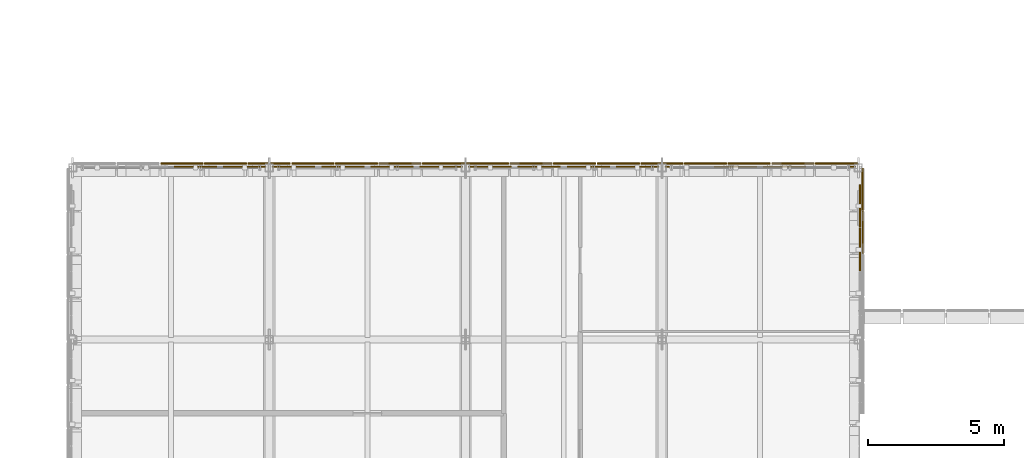
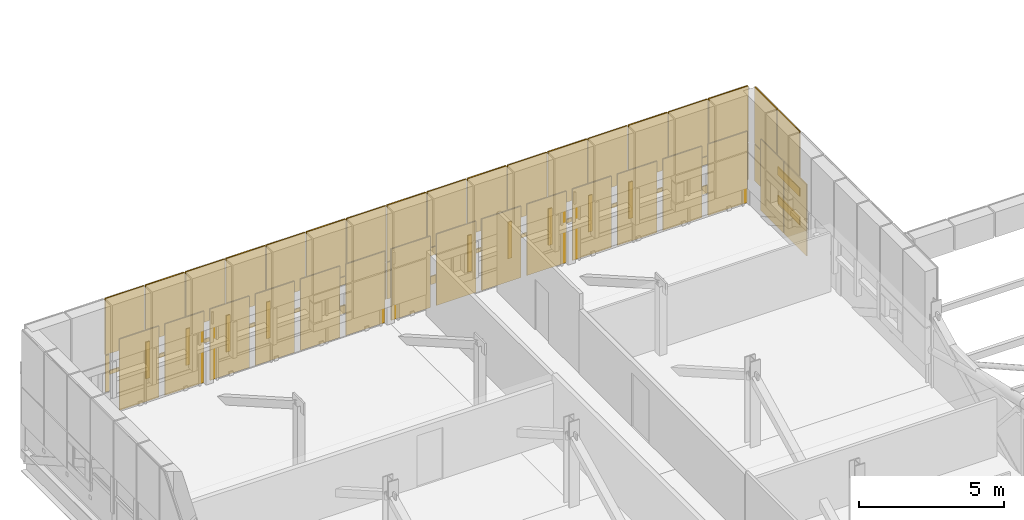
# One storey, part 88 of 96: 50 coverings, 16 shading devices.
"""IFC4 building model written with IfcOpenShell, lengths in metres."""

from ifc_helpers import new_model, si_unit, direction, frame, origin, origin_2d, place, context, subcontext, project, spatial, rectangle, extrude, material, layer, layer_set, type_object, element, save


model = new_model("IFC4")

# Units and contexts
model_context = context("Model", 3, precision=1e-05, world=origin(), true_north=direction((0.0, 1.0)))
body_context = subcontext(model_context, "Body", "Model", "MODEL_VIEW")
ifc_project = project(units=[si_unit("LENGTHUNIT", "METRE"), si_unit("AREAUNIT", "SQUARE_METRE"), si_unit("VOLUMEUNIT", "CUBIC_METRE"), si_unit("PLANEANGLEUNIT", "RADIAN"), si_unit("MASSUNIT", "GRAM", prefix="KILO")], contexts=[model_context])

# Site, building, storey
site_placement = place(None, origin())
site = spatial("IfcSite", under=ifc_project, at=site_placement, CompositionType="ELEMENT")
building_placement = place(site_placement, origin())
building = spatial("IfcBuilding", under=site, at=building_placement, Name="Yarey Park Central Fire Station", CompositionType="ELEMENT")
storey_placement = place(building_placement, frame((0.0, 0.0, 14.39990234375)))
storey = spatial("IfcBuildingStorey", under=building, at=storey_placement, Name="L04", CompositionType="ELEMENT", Elevation=14.39990234375)

# Coverings
ifc_material_1 = material(Name="Perforated Powder-Coated Aluminium Cladding", Category="aluminium")
ifc_layer_1 = layer(ifc_material_1, 0.0419921875)
ifc_layer_set_1 = layer_set([ifc_layer_1], Name="Perforated Powder-Coated Aluminium Cladding")
covering_type_1 = type_object("IfcCoveringType", Name="ENV_COV_PERF_1", PredefinedType="CLADDING", material=ifc_layer_set_1)
for number, where, z_axis, x_axis, name in (
    (1, (57.760009765625, 96.637451171875, 0.85986328125), (0.0, 0.0, 1.0), (0.0, 1.0, 0.0), "PERF_L04_0516"),
    (2, (57.760009765625, 96.637451171875, 2.06982421875), (0.0, 0.0, 1.0), (0.0, 1.0, 0.0), "PERF_L04_0517"),
):
    element("IfcCovering", number, at=place(storey_placement, frame(where, z_axis=z_axis, x_axis=x_axis)), inside=storey, type_object=covering_type_1, Name=name, PredefinedType="CLADDING", context=body_context, shape_type="SweptSolid", body=[
        extrude(rectangle(XDim=1.534912109375, YDim=0.0419921875, at=origin_2d()), origin(), (0.0, 0.0, 1.0), 0.340087890625),
    ])
covering_1_placement = place(storey_placement, frame((57.760009765625, 96.637451171875, 2.43505859375), z_axis=(0.0, 0.0, 1.0), x_axis=(0.0, 1.0, 0.0)))
element("IfcCovering", 3, at=covering_1_placement, inside=storey, type_object=covering_type_1, Name="PERF_L04_0520", PredefinedType="CLADDING", context=body_context, shape_type="SweptSolid", body=[
    extrude(rectangle(XDim=1.534912109375, YDim=0.0419921875, at=origin_2d()), origin(), (0.0, 0.0, 1.0), 2.3701171875),
])
covering_2_placement = place(storey_placement, frame((32.110107421875, 99.159912109375, 0.864990234375), z_axis=(0.0, 0.0, 1.0), x_axis=(1.0, 0.0, 0.0)))
element("IfcCovering", 4, at=covering_2_placement, inside=storey, type_object=covering_type_1, Name="PERF_L04_0803", PredefinedType="CLADDING", context=body_context, shape_type="SweptSolid", body=[
    extrude(rectangle(XDim=0.159912109375, YDim=0.0419921875, at=origin_2d()), origin(), (0.0, 0.0, 1.0), 1.5400390625),
])
covering_3_placement = place(storey_placement, frame((32.800048828125, 99.159912109375, 1.55517578125), z_axis=(0.0, 0.0, 1.0), x_axis=(1.0, 0.0, 0.0)))
element("IfcCovering", 5, at=covering_3_placement, inside=storey, type_object=covering_type_1, Name="PERF_L04_0804", PredefinedType="CLADDING", context=body_context, shape_type="SweptSolid", body=[
    extrude(rectangle(XDim=1.360107421875, YDim=0.0419921875, at=origin_2d()), origin(), (0.0, 0.0, 1.0), 0.159912109375),
])
covering_4_placement = place(storey_placement, frame((32.800048828125, 99.159912109375, 2.43505859375), z_axis=(0.0, 0.0, 1.0), x_axis=(1.0, 0.0, 0.0)))
element("IfcCovering", 6, at=covering_4_placement, inside=storey, type_object=covering_type_1, Name="PERF_L04_0805", PredefinedType="CLADDING", context=body_context, shape_type="SweptSolid", body=[
    extrude(rectangle(XDim=1.56005859375, YDim=0.0419921875, at=origin_2d()), origin(), (0.0, 0.0, 1.0), 2.3701171875),
])
covering_5_placement = place(storey_placement, frame((35.31005859375, 99.159912109375, 0.864990234375), z_axis=(0.0, 0.0, 1.0), x_axis=(1.0, 0.0, 0.0)))
element("IfcCovering", 7, at=covering_5_placement, inside=storey, type_object=covering_type_1, Name="PERF_L04_0817", PredefinedType="CLADDING", context=body_context, shape_type="SweptSolid", body=[
    extrude(rectangle(XDim=0.159912109375, YDim=0.0419921875, at=origin_2d()), origin(), (0.0, 0.0, 1.0), 1.5400390625),
])
covering_6_placement = place(storey_placement, frame((36.0, 99.159912109375, 1.55517578125), z_axis=(0.0, 0.0, 1.0), x_axis=(1.0, 0.0, 0.0)))
element("IfcCovering", 8, at=covering_6_placement, inside=storey, type_object=covering_type_1, Name="PERF_L04_0818", PredefinedType="CLADDING", context=body_context, shape_type="SweptSolid", body=[
    extrude(rectangle(XDim=1.360107421875, YDim=0.0419921875, at=origin_2d()), origin(), (0.0, 0.0, 1.0), 0.159912109375),
])
covering_7_placement = place(storey_placement, frame((36.0, 99.159912109375, 2.43505859375), z_axis=(0.0, 0.0, 1.0), x_axis=(1.0, 0.0, 0.0)))
element("IfcCovering", 9, at=covering_7_placement, inside=storey, type_object=covering_type_1, Name="PERF_L04_0819", PredefinedType="CLADDING", context=body_context, shape_type="SweptSolid", body=[
    extrude(rectangle(XDim=1.56005859375, YDim=0.0419921875, at=origin_2d()), origin(), (0.0, 0.0, 1.0), 2.3701171875),
])
covering_8_placement = place(storey_placement, frame((38.510009765625, 99.159912109375, 0.864990234375), z_axis=(0.0, 0.0, 1.0), x_axis=(1.0, 0.0, 0.0)))
element("IfcCovering", 10, at=covering_8_placement, inside=storey, type_object=covering_type_1, Name="PERF_L04_0831", PredefinedType="CLADDING", context=body_context, shape_type="SweptSolid", body=[
    extrude(rectangle(XDim=0.159912109375, YDim=0.0419921875, at=origin_2d()), origin(), (0.0, 0.0, 1.0), 1.5400390625),
])
covering_9_placement = place(storey_placement, frame((39.199951171875, 99.159912109375, 1.55517578125), z_axis=(0.0, 0.0, 1.0), x_axis=(1.0, 0.0, 0.0)))
element("IfcCovering", 11, at=covering_9_placement, inside=storey, type_object=covering_type_1, Name="PERF_L04_0832", PredefinedType="CLADDING", context=body_context, shape_type="SweptSolid", body=[
    extrude(rectangle(XDim=1.360107421875, YDim=0.0419921875, at=origin_2d()), origin(), (0.0, 0.0, 1.0), 0.159912109375),
])
covering_10_placement = place(storey_placement, frame((39.199951171875, 99.159912109375, 2.43505859375), z_axis=(0.0, 0.0, 1.0), x_axis=(1.0, 0.0, 0.0)))
element("IfcCovering", 12, at=covering_10_placement, inside=storey, type_object=covering_type_1, Name="PERF_L04_0833", PredefinedType="CLADDING", context=body_context, shape_type="SweptSolid", body=[
    extrude(rectangle(XDim=1.56005859375, YDim=0.0419921875, at=origin_2d()), origin(), (0.0, 0.0, 1.0), 2.3701171875),
])
covering_11_placement = place(storey_placement, frame((42.39990234375, 99.159912109375, 0.864990234375), z_axis=(0.0, 0.0, 1.0), x_axis=(1.0, 0.0, 0.0)))
element("IfcCovering", 13, at=covering_11_placement, inside=storey, type_object=covering_type_1, Name="PERF_L04_0848", PredefinedType="CLADDING", context=body_context, shape_type="SweptSolid", body=[
    extrude(rectangle(XDim=1.56005859375, YDim=0.0419921875, at=origin_2d()), origin(), (0.0, 0.0, 1.0), 1.5400390625),
])
covering_12_placement = place(storey_placement, frame((42.39990234375, 99.159912109375, 2.43505859375), z_axis=(0.0, 0.0, 1.0), x_axis=(1.0, 0.0, 0.0)))
element("IfcCovering", 14, at=covering_12_placement, inside=storey, type_object=covering_type_1, Name="PERF_L04_0849", PredefinedType="CLADDING", context=body_context, shape_type="SweptSolid", body=[
    extrude(rectangle(XDim=1.56005859375, YDim=0.0419921875, at=origin_2d()), origin(), (0.0, 0.0, 1.0), 2.3701171875),
])
for number, where, z_axis, x_axis, name in (
    (15, (45.60009765625, 99.159912109375, 0.85986328125), (0.0, 0.0, 1.0), (1.0, 0.0, 0.0), "PERF_L04_0861"),
    (16, (45.60009765625, 99.159912109375, 2.06982421875), (0.0, 0.0, 1.0), (1.0, 0.0, 0.0), "PERF_L04_0862"),
):
    element("IfcCovering", number, at=place(storey_placement, frame(where, z_axis=z_axis, x_axis=x_axis)), inside=storey, type_object=covering_type_1, Name=name, PredefinedType="CLADDING", context=body_context, shape_type="SweptSolid", body=[
        extrude(rectangle(XDim=1.56005859375, YDim=0.0419921875, at=origin_2d()), origin(), (0.0, 0.0, 1.0), 0.340087890625),
    ])
covering_13_placement = place(storey_placement, frame((45.60009765625, 99.159912109375, 2.43505859375), z_axis=(0.0, 0.0, 1.0), x_axis=(1.0, 0.0, 0.0)))
element("IfcCovering", 17, at=covering_13_placement, inside=storey, type_object=covering_type_1, Name="PERF_L04_0865", PredefinedType="CLADDING", context=body_context, shape_type="SweptSolid", body=[
    extrude(rectangle(XDim=1.56005859375, YDim=0.0419921875, at=origin_2d()), origin(), (0.0, 0.0, 1.0), 2.3701171875),
])
covering_14_placement = place(storey_placement, frame((48.110107421875, 99.159912109375, 0.864990234375), z_axis=(0.0, 0.0, 1.0), x_axis=(1.0, 0.0, 0.0)))
element("IfcCovering", 18, at=covering_14_placement, inside=storey, type_object=covering_type_1, Name="PERF_L04_0877", PredefinedType="CLADDING", context=body_context, shape_type="SweptSolid", body=[
    extrude(rectangle(XDim=0.159912109375, YDim=0.0419921875, at=origin_2d()), origin(), (0.0, 0.0, 1.0), 1.5400390625),
])
covering_15_placement = place(storey_placement, frame((48.800048828125, 99.159912109375, 1.55517578125), z_axis=(0.0, 0.0, 1.0), x_axis=(1.0, 0.0, 0.0)))
element("IfcCovering", 19, at=covering_15_placement, inside=storey, type_object=covering_type_1, Name="PERF_L04_0878", PredefinedType="CLADDING", context=body_context, shape_type="SweptSolid", body=[
    extrude(rectangle(XDim=1.360107421875, YDim=0.0419921875, at=origin_2d()), origin(), (0.0, 0.0, 1.0), 0.159912109375),
])
covering_16_placement = place(storey_placement, frame((48.800048828125, 99.159912109375, 2.43505859375), z_axis=(0.0, 0.0, 1.0), x_axis=(1.0, 0.0, 0.0)))
element("IfcCovering", 20, at=covering_16_placement, inside=storey, type_object=covering_type_1, Name="PERF_L04_0879", PredefinedType="CLADDING", context=body_context, shape_type="SweptSolid", body=[
    extrude(rectangle(XDim=1.56005859375, YDim=0.0419921875, at=origin_2d()), origin(), (0.0, 0.0, 1.0), 2.3701171875),
])
covering_17_placement = place(storey_placement, frame((51.31005859375, 99.159912109375, 0.864990234375), z_axis=(0.0, 0.0, 1.0), x_axis=(1.0, 0.0, 0.0)))
element("IfcCovering", 21, at=covering_17_placement, inside=storey, type_object=covering_type_1, Name="PERF_L04_0891", PredefinedType="CLADDING", context=body_context, shape_type="SweptSolid", body=[
    extrude(rectangle(XDim=0.159912109375, YDim=0.0419921875, at=origin_2d()), origin(), (0.0, 0.0, 1.0), 1.5400390625),
])
covering_18_placement = place(storey_placement, frame((52.0, 99.159912109375, 1.55517578125), z_axis=(0.0, 0.0, 1.0), x_axis=(1.0, 0.0, 0.0)))
element("IfcCovering", 22, at=covering_18_placement, inside=storey, type_object=covering_type_1, Name="PERF_L04_0892", PredefinedType="CLADDING", context=body_context, shape_type="SweptSolid", body=[
    extrude(rectangle(XDim=1.360107421875, YDim=0.0419921875, at=origin_2d()), origin(), (0.0, 0.0, 1.0), 0.159912109375),
])
covering_19_placement = place(storey_placement, frame((52.0, 99.159912109375, 2.43505859375), z_axis=(0.0, 0.0, 1.0), x_axis=(1.0, 0.0, 0.0)))
element("IfcCovering", 23, at=covering_19_placement, inside=storey, type_object=covering_type_1, Name="PERF_L04_0893", PredefinedType="CLADDING", context=body_context, shape_type="SweptSolid", body=[
    extrude(rectangle(XDim=1.56005859375, YDim=0.0419921875, at=origin_2d()), origin(), (0.0, 0.0, 1.0), 2.3701171875),
])
for number, where, z_axis, x_axis, name in (
    (24, (55.199951171875, 99.159912109375, 0.85986328125), (0.0, 0.0, 1.0), (1.0, 0.0, 0.0), "PERF_L04_0907"),
    (25, (55.199951171875, 99.159912109375, 2.06982421875), (0.0, 0.0, 1.0), (1.0, 0.0, 0.0), "PERF_L04_0908"),
):
    element("IfcCovering", number, at=place(storey_placement, frame(where, z_axis=z_axis, x_axis=x_axis)), inside=storey, type_object=covering_type_1, Name=name, PredefinedType="CLADDING", context=body_context, shape_type="SweptSolid", body=[
        extrude(rectangle(XDim=1.56005859375, YDim=0.0419921875, at=origin_2d()), origin(), (0.0, 0.0, 1.0), 0.340087890625),
    ])
covering_20_placement = place(storey_placement, frame((55.199951171875, 99.159912109375, 2.43505859375), z_axis=(0.0, 0.0, 1.0), x_axis=(1.0, 0.0, 0.0)))
element("IfcCovering", 26, at=covering_20_placement, inside=storey, type_object=covering_type_1, Name="PERF_L04_0911", PredefinedType="CLADDING", context=body_context, shape_type="SweptSolid", body=[
    extrude(rectangle(XDim=1.56005859375, YDim=0.0419921875, at=origin_2d()), origin(), (0.0, 0.0, 1.0), 2.3701171875),
])
ifc_layer_2 = layer(ifc_material_1, 0.053955078125)
ifc_layer_set_2 = layer_set([ifc_layer_2], Name="Perforated Powder-Coated Aluminium Cladding")
covering_type_2 = type_object("IfcCoveringType", Name="ENV_COV_PERF_2", PredefinedType="CLADDING", material=ifc_layer_set_2)
covering_21_placement = place(storey_placement, frame((57.760009765625, 98.21240234375, 0.864990234375), z_axis=(0.0, 0.0, 1.0), x_axis=(0.0, 1.0, 0.0)))
element("IfcCovering", 27, at=covering_21_placement, inside=storey, type_object=covering_type_2, Name="PERF_L04_0524", PredefinedType="CLADDING", context=body_context, shape_type="SweptSolid", body=[
    extrude(rectangle(XDim=1.534912109375, YDim=0.053955078125, at=origin_2d()), origin(), (0.0, 0.0, 1.0), 1.5400390625),
])
covering_22_placement = place(storey_placement, frame((57.760009765625, 98.21240234375, 2.43505859375), z_axis=(0.0, 0.0, 1.0), x_axis=(0.0, 1.0, 0.0)))
element("IfcCovering", 28, at=covering_22_placement, inside=storey, type_object=covering_type_2, Name="PERF_L04_0525", PredefinedType="CLADDING", context=body_context, shape_type="SweptSolid", body=[
    extrude(rectangle(XDim=1.534912109375, YDim=0.053955078125, at=origin_2d()), origin(), (0.0, 0.0, 1.0), 2.3701171875),
])
covering_23_placement = place(storey_placement, frame((33.7099609375, 99.159912109375, 0.864990234375), z_axis=(0.0, 0.0, 1.0), x_axis=(1.0, 0.0, 0.0)))
element("IfcCovering", 29, at=covering_23_placement, inside=storey, type_object=covering_type_2, Name="PERF_L04_0810", PredefinedType="CLADDING", context=body_context, shape_type="SweptSolid", body=[
    extrude(rectangle(XDim=0.159912109375, YDim=0.053955078125, at=origin_2d()), origin(), (0.0, 0.0, 1.0), 1.5400390625),
])
covering_24_placement = place(storey_placement, frame((34.39990234375, 99.159912109375, 1.55517578125), z_axis=(0.0, 0.0, 1.0), x_axis=(1.0, 0.0, 0.0)))
element("IfcCovering", 30, at=covering_24_placement, inside=storey, type_object=covering_type_2, Name="PERF_L04_0811", PredefinedType="CLADDING", context=body_context, shape_type="SweptSolid", body=[
    extrude(rectangle(XDim=1.360107421875, YDim=0.053955078125, at=origin_2d()), origin(), (0.0, 0.0, 1.0), 0.159912109375),
])
covering_25_placement = place(storey_placement, frame((34.39990234375, 99.159912109375, 2.43505859375), z_axis=(0.0, 0.0, 1.0), x_axis=(1.0, 0.0, 0.0)))
element("IfcCovering", 31, at=covering_25_placement, inside=storey, type_object=covering_type_2, Name="PERF_L04_0812", PredefinedType="CLADDING", context=body_context, shape_type="SweptSolid", body=[
    extrude(rectangle(XDim=1.56005859375, YDim=0.053955078125, at=origin_2d()), origin(), (0.0, 0.0, 1.0), 2.3701171875),
])
covering_26_placement = place(storey_placement, frame((36.909912109375, 99.159912109375, 0.864990234375), z_axis=(0.0, 0.0, 1.0), x_axis=(1.0, 0.0, 0.0)))
element("IfcCovering", 32, at=covering_26_placement, inside=storey, type_object=covering_type_2, Name="PERF_L04_0824", PredefinedType="CLADDING", context=body_context, shape_type="SweptSolid", body=[
    extrude(rectangle(XDim=0.159912109375, YDim=0.053955078125, at=origin_2d()), origin(), (0.0, 0.0, 1.0), 1.5400390625),
])
covering_27_placement = place(storey_placement, frame((37.60009765625, 99.159912109375, 1.55517578125), z_axis=(0.0, 0.0, 1.0), x_axis=(1.0, 0.0, 0.0)))
element("IfcCovering", 33, at=covering_27_placement, inside=storey, type_object=covering_type_2, Name="PERF_L04_0825", PredefinedType="CLADDING", context=body_context, shape_type="SweptSolid", body=[
    extrude(rectangle(XDim=1.360107421875, YDim=0.053955078125, at=origin_2d()), origin(), (0.0, 0.0, 1.0), 0.159912109375),
])
covering_28_placement = place(storey_placement, frame((37.60009765625, 99.159912109375, 2.43505859375), z_axis=(0.0, 0.0, 1.0), x_axis=(1.0, 0.0, 0.0)))
element("IfcCovering", 34, at=covering_28_placement, inside=storey, type_object=covering_type_2, Name="PERF_L04_0826", PredefinedType="CLADDING", context=body_context, shape_type="SweptSolid", body=[
    extrude(rectangle(XDim=1.56005859375, YDim=0.053955078125, at=origin_2d()), origin(), (0.0, 0.0, 1.0), 2.3701171875),
])
for number, where, z_axis, x_axis, name in (
    (35, (40.800048828125, 99.159912109375, 0.85986328125), (0.0, 0.0, 1.0), (1.0, 0.0, 0.0), "PERF_L04_0840"),
    (36, (40.800048828125, 99.159912109375, 2.06982421875), (0.0, 0.0, 1.0), (1.0, 0.0, 0.0), "PERF_L04_0841"),
):
    element("IfcCovering", number, at=place(storey_placement, frame(where, z_axis=z_axis, x_axis=x_axis)), inside=storey, type_object=covering_type_2, Name=name, PredefinedType="CLADDING", context=body_context, shape_type="SweptSolid", body=[
        extrude(rectangle(XDim=1.56005859375, YDim=0.053955078125, at=origin_2d()), origin(), (0.0, 0.0, 1.0), 0.340087890625),
    ])
covering_29_placement = place(storey_placement, frame((40.800048828125, 99.159912109375, 2.43505859375), z_axis=(0.0, 0.0, 1.0), x_axis=(1.0, 0.0, 0.0)))
element("IfcCovering", 37, at=covering_29_placement, inside=storey, type_object=covering_type_2, Name="PERF_L04_0844", PredefinedType="CLADDING", context=body_context, shape_type="SweptSolid", body=[
    extrude(rectangle(XDim=1.56005859375, YDim=0.053955078125, at=origin_2d()), origin(), (0.0, 0.0, 1.0), 2.3701171875),
])
covering_30_placement = place(storey_placement, frame((44.0, 99.159912109375, 0.864990234375), z_axis=(0.0, 0.0, 1.0), x_axis=(1.0, 0.0, 0.0)))
element("IfcCovering", 38, at=covering_30_placement, inside=storey, type_object=covering_type_2, Name="PERF_L04_0853", PredefinedType="CLADDING", context=body_context, shape_type="SweptSolid", body=[
    extrude(rectangle(XDim=1.56005859375, YDim=0.053955078125, at=origin_2d()), origin(), (0.0, 0.0, 1.0), 1.5400390625),
])
covering_31_placement = place(storey_placement, frame((44.0, 99.159912109375, 2.43505859375), z_axis=(0.0, 0.0, 1.0), x_axis=(1.0, 0.0, 0.0)))
element("IfcCovering", 39, at=covering_31_placement, inside=storey, type_object=covering_type_2, Name="PERF_L04_0854", PredefinedType="CLADDING", context=body_context, shape_type="SweptSolid", body=[
    extrude(rectangle(XDim=1.56005859375, YDim=0.053955078125, at=origin_2d()), origin(), (0.0, 0.0, 1.0), 2.3701171875),
])
covering_32_placement = place(storey_placement, frame((46.510009765625, 99.159912109375, 0.864990234375), z_axis=(0.0, 0.0, 1.0), x_axis=(1.0, 0.0, 0.0)))
element("IfcCovering", 40, at=covering_32_placement, inside=storey, type_object=covering_type_2, Name="PERF_L04_0870", PredefinedType="CLADDING", context=body_context, shape_type="SweptSolid", body=[
    extrude(rectangle(XDim=0.159912109375, YDim=0.053955078125, at=origin_2d()), origin(), (0.0, 0.0, 1.0), 1.5400390625),
])
covering_33_placement = place(storey_placement, frame((47.199951171875, 99.159912109375, 1.55517578125), z_axis=(0.0, 0.0, 1.0), x_axis=(1.0, 0.0, 0.0)))
element("IfcCovering", 41, at=covering_33_placement, inside=storey, type_object=covering_type_2, Name="PERF_L04_0871", PredefinedType="CLADDING", context=body_context, shape_type="SweptSolid", body=[
    extrude(rectangle(XDim=1.360107421875, YDim=0.053955078125, at=origin_2d()), origin(), (0.0, 0.0, 1.0), 0.159912109375),
])
covering_34_placement = place(storey_placement, frame((47.199951171875, 99.159912109375, 2.43505859375), z_axis=(0.0, 0.0, 1.0), x_axis=(1.0, 0.0, 0.0)))
element("IfcCovering", 42, at=covering_34_placement, inside=storey, type_object=covering_type_2, Name="PERF_L04_0872", PredefinedType="CLADDING", context=body_context, shape_type="SweptSolid", body=[
    extrude(rectangle(XDim=1.56005859375, YDim=0.053955078125, at=origin_2d()), origin(), (0.0, 0.0, 1.0), 2.3701171875),
])
covering_35_placement = place(storey_placement, frame((49.7099609375, 99.159912109375, 0.864990234375), z_axis=(0.0, 0.0, 1.0), x_axis=(1.0, 0.0, 0.0)))
element("IfcCovering", 43, at=covering_35_placement, inside=storey, type_object=covering_type_2, Name="PERF_L04_0884", PredefinedType="CLADDING", context=body_context, shape_type="SweptSolid", body=[
    extrude(rectangle(XDim=0.159912109375, YDim=0.053955078125, at=origin_2d()), origin(), (0.0, 0.0, 1.0), 1.5400390625),
])
covering_36_placement = place(storey_placement, frame((50.39990234375, 99.159912109375, 1.55517578125), z_axis=(0.0, 0.0, 1.0), x_axis=(1.0, 0.0, 0.0)))
element("IfcCovering", 44, at=covering_36_placement, inside=storey, type_object=covering_type_2, Name="PERF_L04_0885", PredefinedType="CLADDING", context=body_context, shape_type="SweptSolid", body=[
    extrude(rectangle(XDim=1.360107421875, YDim=0.053955078125, at=origin_2d()), origin(), (0.0, 0.0, 1.0), 0.159912109375),
])
covering_37_placement = place(storey_placement, frame((50.39990234375, 99.159912109375, 2.43505859375), z_axis=(0.0, 0.0, 1.0), x_axis=(1.0, 0.0, 0.0)))
element("IfcCovering", 45, at=covering_37_placement, inside=storey, type_object=covering_type_2, Name="PERF_L04_0886", PredefinedType="CLADDING", context=body_context, shape_type="SweptSolid", body=[
    extrude(rectangle(XDim=1.56005859375, YDim=0.053955078125, at=origin_2d()), origin(), (0.0, 0.0, 1.0), 2.3701171875),
])
covering_38_placement = place(storey_placement, frame((52.909912109375, 99.159912109375, 0.864990234375), z_axis=(0.0, 0.0, 1.0), x_axis=(1.0, 0.0, 0.0)))
element("IfcCovering", 46, at=covering_38_placement, inside=storey, type_object=covering_type_2, Name="PERF_L04_0898", PredefinedType="CLADDING", context=body_context, shape_type="SweptSolid", body=[
    extrude(rectangle(XDim=0.159912109375, YDim=0.053955078125, at=origin_2d()), origin(), (0.0, 0.0, 1.0), 1.5400390625),
])
covering_39_placement = place(storey_placement, frame((53.60009765625, 99.159912109375, 1.55517578125), z_axis=(0.0, 0.0, 1.0), x_axis=(1.0, 0.0, 0.0)))
element("IfcCovering", 47, at=covering_39_placement, inside=storey, type_object=covering_type_2, Name="PERF_L04_0899", PredefinedType="CLADDING", context=body_context, shape_type="SweptSolid", body=[
    extrude(rectangle(XDim=1.360107421875, YDim=0.053955078125, at=origin_2d()), origin(), (0.0, 0.0, 1.0), 0.159912109375),
])
covering_40_placement = place(storey_placement, frame((53.60009765625, 99.159912109375, 2.43505859375), z_axis=(0.0, 0.0, 1.0), x_axis=(1.0, 0.0, 0.0)))
element("IfcCovering", 48, at=covering_40_placement, inside=storey, type_object=covering_type_2, Name="PERF_L04_0900", PredefinedType="CLADDING", context=body_context, shape_type="SweptSolid", body=[
    extrude(rectangle(XDim=1.56005859375, YDim=0.053955078125, at=origin_2d()), origin(), (0.0, 0.0, 1.0), 2.3701171875),
])
covering_41_placement = place(storey_placement, frame((56.800048828125, 99.159912109375, 0.864990234375), z_axis=(0.0, 0.0, 1.0), x_axis=(1.0, 0.0, 0.0)))
element("IfcCovering", 49, at=covering_41_placement, inside=storey, type_object=covering_type_2, Name="PERF_L04_0915", PredefinedType="CLADDING", context=body_context, shape_type="SweptSolid", body=[
    extrude(rectangle(XDim=1.56005859375, YDim=0.053955078125, at=origin_2d()), origin(), (0.0, 0.0, 1.0), 1.5400390625),
])
covering_42_placement = place(storey_placement, frame((56.800048828125, 99.159912109375, 2.43505859375), z_axis=(0.0, 0.0, 1.0), x_axis=(1.0, 0.0, 0.0)))
element("IfcCovering", 50, at=covering_42_placement, inside=storey, type_object=covering_type_2, Name="PERF_L04_0916", PredefinedType="CLADDING", context=body_context, shape_type="SweptSolid", body=[
    extrude(rectangle(XDim=1.56005859375, YDim=0.053955078125, at=origin_2d()), origin(), (0.0, 0.0, 1.0), 2.3701171875),
])

# Shading devices
ifc_material_2 = material(Name="Perforated Powder-Coated Aluminium Screen", Category="aluminium")
ifc_layer_3 = layer(ifc_material_2, 0.0400390625)
ifc_layer_set_3 = layer_set([ifc_layer_3], Name="Perforated Powder-Coated Aluminium Screen")
shading_device_type = type_object("IfcShadingDeviceType", Name="ENV_SHD_SCR_2", PredefinedType="USERDEFINED", material=ifc_layer_set_3)
for number, where, z_axis, x_axis, name in (
    (51, (33.300048828125, 99.0400390625, 0.0), (0.0, 0.0, 1.0), (1.0, 0.0, 0.0), "SCR_L04_N_033"),
    (52, (35.10009765625, 99.0400390625, 0.0), (0.0, 0.0, 1.0), (1.0, 0.0, 0.0), "SCR_L04_N_034"),
    (53, (36.89990234375, 99.0400390625, 0.0), (0.0, 0.0, 1.0), (1.0, 0.0, 0.0), "SCR_L04_N_035"),
    (54, (38.699951171875, 99.0400390625, 0.0), (0.0, 0.0, 1.0), (1.0, 0.0, 0.0), "SCR_L04_N_036"),
    (55, (40.5, 99.0400390625, 0.0), (0.0, 0.0, 1.0), (1.0, 0.0, 0.0), "SCR_L04_N_037"),
    (56, (42.300048828125, 99.0400390625, 0.0), (0.0, 0.0, 1.0), (1.0, 0.0, 0.0), "SCR_L04_N_038"),
    (57, (44.10009765625, 99.0400390625, 0.0), (0.0, 0.0, 1.0), (1.0, 0.0, 0.0), "SCR_L04_N_039"),
    (58, (45.89990234375, 99.0400390625, 0.0), (0.0, 0.0, 1.0), (1.0, 0.0, 0.0), "SCR_L04_N_040"),
    (59, (47.699951171875, 99.0400390625, 0.0), (0.0, 0.0, 1.0), (1.0, 0.0, 0.0), "SCR_L04_N_041"),
    (60, (49.5, 99.0400390625, 0.0), (0.0, 0.0, 1.0), (1.0, 0.0, 0.0), "SCR_L04_N_042"),
    (61, (51.300048828125, 99.0400390625, 0.0), (0.0, 0.0, 1.0), (1.0, 0.0, 0.0), "SCR_L04_N_043"),
    (62, (53.10009765625, 99.0400390625, 0.0), (0.0, 0.0, 1.0), (1.0, 0.0, 0.0), "SCR_L04_N_044"),
    (63, (54.89990234375, 99.0400390625, 0.0), (0.0, 0.0, 1.0), (1.0, 0.0, 0.0), "SCR_L04_N_045"),
    (64, (56.699951171875, 99.0400390625, 0.0), (0.0, 0.0, 1.0), (1.0, 0.0, 0.0), "SCR_L04_N_046"),
    (65, (57.659912109375, 96.0, 0.0), (0.0, 0.0, 1.0), (0.0, 1.0, 0.0), "SCR_L04_SIDE_058"),
    (66, (57.659912109375, 97.60009765625, 0.0), (0.0, 0.0, 1.0), (0.0, 1.0, 0.0), "SCR_L04_SIDE_060"),
):
    element("IfcShadingDevice", number, at=place(storey_placement, frame(where, z_axis=z_axis, x_axis=x_axis)), inside=storey, type_object=shading_device_type, Name=name, ObjectType="SCREEN", PredefinedType="USERDEFINED", context=body_context, shape_type="SweptSolid", body=[
        extrude(rectangle(XDim=1.56005859375, YDim=0.0400390625, at=origin_2d()), origin(), (0.0, 0.0, 1.0), 3.0),
    ])

save(model, "model.ifc")
